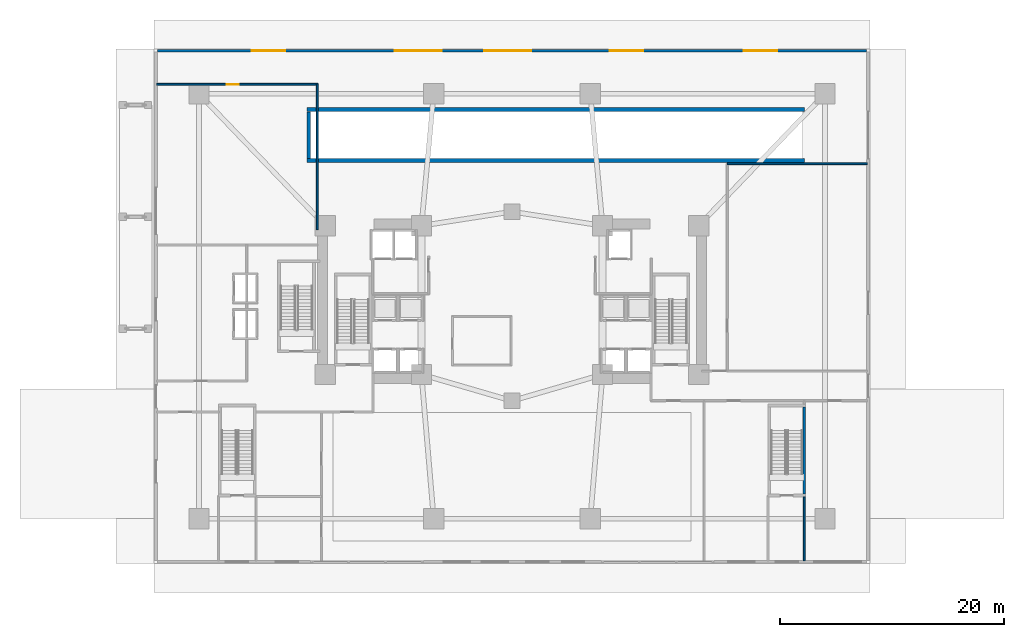
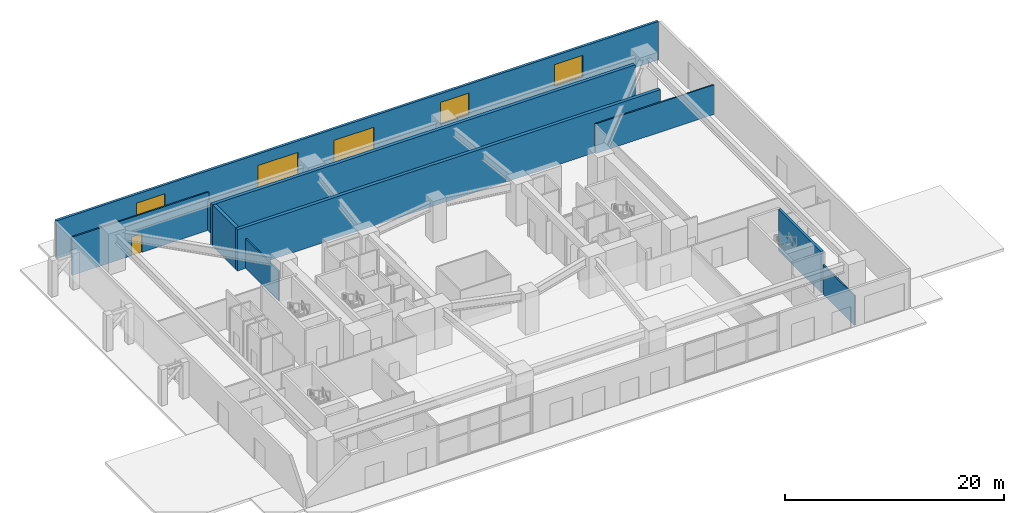
# One storey, part 12 of 18: 9 walls, 3 doors, 3 windows, 6 openings.
"""IFC4 building model written with IfcOpenShell, lengths in metres."""

import ifcopenshell
import ifcopenshell.guid

model = None  # the IFC model being written
_history = None  # IfcOwnerHistory: only IFC2X3 demands one
_inside = {}  # id of a spatial element -> (the spatial element, [elements in it])
_under = {}  # id of a project, library or spatial element -> (it, [spatial elements below it])
_declared = {}  # id of a project -> (the project, [libraries it declares])
_typed = {}  # id of a type object -> (the type object, [elements of that type])
_made_of = {}  # id of a material, layer set ... -> (it, [elements and type objects made of it])


def new_model(schema):
    """Start an empty IFC model of exactly this schema.

    Asked for "IFC4X3", IfcOpenShell would pick the latest addendum, in which some entities
    have other attributes; the version numbers below select the first issue.
    IFC2X3 requires an IfcOwnerHistory on every rooted entity: one is made here for all.
    """
    global model, _history
    if schema == "IFC4X3":
        model = ifcopenshell.file(schema_version=(4, 3, 0, 0))
    else:
        model = ifcopenshell.file(schema=schema)
    _inside.clear()
    _under.clear()
    _declared.clear()
    _typed.clear()
    _made_of.clear()
    _history = None
    if model.schema == "IFC2X3":
        org = make("IfcOrganization", Name="unknown")
        user = make(
            "IfcPersonAndOrganization",
            ThePerson=make("IfcPerson", FamilyName="unknown"),
            TheOrganization=org,
        )
        app = make(
            "IfcApplication",
            ApplicationDeveloper=org,
            Version="unknown",
            ApplicationFullName="unknown",
            ApplicationIdentifier="unknown",
        )
        _history = make(
            "IfcOwnerHistory",
            OwningUser=user,
            OwningApplication=app,
            ChangeAction="ADDED",
            CreationDate=0,
        )
    return model


def make(cls, **values):
    """One entity of the class cls with the attributes given. An attribute that is None is left unset."""
    return model.create_entity(
        cls, **{name: value for name, value in values.items() if value is not None}
    )


def rooted(cls, **values):
    """An entity with a GlobalId (a new one), such as an element, a storey or a relation."""
    return make(cls, GlobalId=ifcopenshell.guid.new(), OwnerHistory=_history, **values)


def si_unit(unit_type, name, prefix=None):
    """IfcSIUnit, for example si_unit("LENGTHUNIT", "METRE", prefix="MILLI")."""
    return make("IfcSIUnit", UnitType=unit_type, Prefix=prefix, Name=name)


def assignment(units):
    """IfcUnitAssignment: the units of a project."""
    return None if units is None else make("IfcUnitAssignment", Units=units)


def point(xyz):
    """IfcCartesianPoint."""
    return None if xyz is None else make("IfcCartesianPoint", Coordinates=xyz)


def direction(xyz):
    """IfcDirection."""
    return None if xyz is None else make("IfcDirection", DirectionRatios=xyz)


def frame(location, z_axis=None, x_axis=None):
    """IfcAxis2Placement3D, a coordinate frame: its origin and axes. An axis left out is left unset."""
    return make(
        "IfcAxis2Placement3D",
        Location=point(location),
        Axis=direction(z_axis),
        RefDirection=direction(x_axis),
    )


def frame_2d(location, x_axis=None):
    """IfcAxis2Placement2D, a coordinate frame in the plane: its origin and x axis."""
    return make(
        "IfcAxis2Placement2D", Location=point(location), RefDirection=direction(x_axis)
    )


def origin():
    """The frame at (0, 0, 0) with its axes left unset."""
    return frame((0.0, 0.0, 0.0))


def place(relative_to, where):
    """IfcLocalPlacement: puts the frame where relative to a parent placement (None: the world)."""
    return make(
        "IfcLocalPlacement", PlacementRelTo=relative_to, RelativePlacement=where
    )


def context(
    kind, dimensions, precision=None, world=None, true_north=None, identifier=None
):
    """IfcGeometricRepresentationContext, for example the 3D "Model" context."""
    return make(
        "IfcGeometricRepresentationContext",
        ContextIdentifier=identifier,
        ContextType=kind,
        CoordinateSpaceDimension=dimensions,
        Precision=precision,
        WorldCoordinateSystem=world,
        TrueNorth=true_north,
    )


def subcontext(parent, identifier, kind, view, scale=None):
    """IfcGeometricRepresentationSubContext, for example "Body" below "Model"."""
    return make(
        "IfcGeometricRepresentationSubContext",
        ContextIdentifier=identifier,
        ContextType=kind,
        ParentContext=parent,
        TargetScale=scale,
        TargetView=view,
    )


def project(units=None, contexts=None):
    """IfcProject with its units and contexts."""
    return rooted(
        "IfcProject",
        Name="project",
        RepresentationContexts=contexts,
        UnitsInContext=assignment(units),
    )


def spatial(cls, under=None, at=None, **own):
    """A site, building, storey or space (cls), placed at a placement, below another one or the project."""
    s = rooted(cls, ObjectPlacement=at, **own)
    if under is not None:
        _under.setdefault(under.id(), (under, []))[1].append(s)
    return s


def profile(cls, at=None, kind="AREA", **sizes):
    """A parametric profile (cls). Its sizes go by their IFC names, for example OverallWidth=200.0."""
    return make(cls, ProfileType=kind, Position=at, **sizes)


def rectangle(**sizes):
    """IfcRectangleProfileDef."""
    return profile("IfcRectangleProfileDef", **sizes)


def extrude(swept, where, along, depth):
    """IfcExtrudedAreaSolid: the profile swept, set in the frame where, extruded along a direction by depth."""
    return make(
        "IfcExtrudedAreaSolid",
        SweptArea=swept,
        Position=where,
        ExtrudedDirection=direction(along),
        Depth=depth,
    )


def shape(context_of_items, identifier, shape_type, items):
    """IfcShapeRepresentation: the items that make up one representation, for example the "Body"."""
    return make(
        "IfcShapeRepresentation",
        ContextOfItems=context_of_items,
        RepresentationIdentifier=identifier,
        RepresentationType=shape_type,
        Items=items,
    )


def material(Name=None, Category=None):
    """IfcMaterial."""
    return make("IfcMaterial", Name=Name, Category=Category)


def layer(
    of_material, thickness, ventilated=None, Name=None, Category=None, Priority=None
):
    """IfcMaterialLayer: one layer of a wall or slab, of a material (None: an air gap)."""
    return make(
        "IfcMaterialLayer",
        Material=of_material,
        LayerThickness=thickness,
        IsVentilated=ventilated,
        Name=Name,
        Category=Category,
        Priority=Priority,
    )


def layer_set(layers, Name=None):
    """IfcMaterialLayerSet."""
    return make("IfcMaterialLayerSet", MaterialLayers=layers, LayerSetName=Name)


def made_of(thing, what):
    """Note that an element or type object is made of a material, layer set ...; save() writes the relation."""
    if what is not None:
        _made_of.setdefault(what.id(), (what, []))[1].append(thing)
    return thing


def type_object(cls, material=None, **own):
    """A type object (cls), such as IfcWallType, which elements share."""
    return made_of(rooted(cls, **own), material)


def element(
    cls,
    number,
    at=None,
    inside=None,
    cuts=None,
    type_object=None,
    material=None,
    context=None,
    identifier="Body",
    shape_type=None,
    held_by="IfcProductDefinitionShape",
    body=None,
    shapes=None,
    **own,
):
    """One element of the class cls, such as IfcWall. Its Tag is "e" and its number.

    at: its placement. inside: the storey or other place that contains it. cuts: it is an
    opening in that element (IfcRelVoidsElement). A single representation is given by context,
    identifier, shape_type and body (its items); several are given by shapes. held_by: the class
    of the entity that holds the representations. save() writes the other relations.
    """
    e = rooted(cls, Tag="e%d" % number, ObjectPlacement=at, **own)
    if body is not None:
        shapes = [shape(context, identifier, shape_type, body)]
    if shapes is not None:
        e.Representation = make(held_by, Representations=shapes)
    if inside is not None:
        _inside.setdefault(inside.id(), (inside, []))[1].append(e)
    if cuts is not None:
        rooted(
            "IfcRelVoidsElement", RelatingBuildingElement=cuts, RelatedOpeningElement=e
        )
    if type_object is not None:
        _typed.setdefault(type_object.id(), (type_object, []))[1].append(e)
    return made_of(e, material)


def fill(opening, filler):
    """IfcRelFillsElement: the door or window that sits in an opening."""
    return rooted(
        "IfcRelFillsElement",
        RelatingOpeningElement=opening,
        RelatedBuildingElement=filler,
    )


def aggregate(whole, parts):
    """IfcRelAggregates: a whole, such as a stair, and the parts it consists of."""
    return rooted("IfcRelAggregates", RelatingObject=whole, RelatedObjects=parts)


def save(model, path):
    """Write the relations noted so far, then the file.

    IfcRelAggregates (storeys below a building ...), IfcRelContainedInSpatialStructure (elements
    in a storey), IfcRelDefinesByType, IfcRelAssociatesMaterial and IfcRelDeclares: one each for
    every whole, place, type object, material and project.
    """
    for whole, parts in _under.values():
        aggregate(whole, parts)
    for where, things in _inside.values():
        rooted(
            "IfcRelContainedInSpatialStructure",
            RelatedElements=things,
            RelatingStructure=where,
        )
    for kind, things in _typed.values():
        rooted("IfcRelDefinesByType", RelatedObjects=things, RelatingType=kind)
    for what, things in _made_of.values():
        rooted("IfcRelAssociatesMaterial", RelatedObjects=things, RelatingMaterial=what)
    for by, libraries in _declared.values():
        rooted("IfcRelDeclares", RelatingContext=by, RelatedDefinitions=libraries)
    model.write(path)


model = new_model("IFC4")

# Units and contexts
model_context = context("Model", 3, precision=1e-05, world=origin(), true_north=direction((0.0, 1.0)))
body_context = subcontext(model_context, "Body", "Model", "MODEL_VIEW")
ifc_project = project(units=[si_unit("LENGTHUNIT", "METRE"), si_unit("AREAUNIT", "SQUARE_METRE"), si_unit("VOLUMEUNIT", "CUBIC_METRE"), si_unit("PLANEANGLEUNIT", "RADIAN"), si_unit("MASSUNIT", "GRAM", prefix="KILO")], contexts=[model_context])

# Site, building, storey
site_placement = place(None, origin())
site = spatial("IfcSite", under=ifc_project, at=site_placement, CompositionType="ELEMENT")
building_placement = place(site_placement, origin())
building = spatial("IfcBuilding", under=site, at=building_placement, Name="Solvane Sanctuary Tower", CompositionType="ELEMENT")
storey_placement = place(building_placement, origin())
storey = spatial("IfcBuildingStorey", under=building, at=storey_placement, Name="L01", CompositionType="ELEMENT", Elevation=0.0)

# Wall
ifc_material_1 = material(Name="Acoustic Gypsum Partition Board")
ifc_layer_1 = layer(ifc_material_1, 0.14990234375, Name="Acoustic Gypsum Partition Board")
ifc_layer_set_1 = layer_set([ifc_layer_1], Name="Acoustic Gypsum Partition Board")
wall_type_1 = type_object("IfcWallType", Name="Wall W-CORR-150", PredefinedType="PARTITIONING", material=ifc_layer_set_1)
wall_1_placement = place(storey_placement, frame((14.580078125, 29.860107421875, 0.0), z_axis=(0.0, 0.0, 1.0), x_axis=(0.0, 1.0, 0.0)))
element("IfcWall", 1, at=wall_1_placement, inside=storey, type_object=wall_type_1, Name="L01 Exhibition East Wall", PredefinedType="PARTITIONING", context=body_context, shape_type="SweptSolid", body=[
    extrude(rectangle(XDim=13.019775390625, YDim=0.14990234375, at=frame_2d((6.509765625, 0.0))), origin(), (0.0, 0.0, 1.0), 3.300048828125),
])

# Wall, opening, door
wall_2_placement = place(storey_placement, frame((0.219970703125, 42.85009765625, 0.0), z_axis=(0.0, 0.0, 1.0), x_axis=(1.0, 0.0, 0.0)))
wall_2 = element("IfcWall", 2, at=wall_2_placement, inside=storey, type_object=wall_type_1, Name="L01 Exhibition North Wall", PredefinedType="PARTITIONING", context=body_context, shape_type="SweptSolid", body=[
    extrude(rectangle(XDim=14.400146484375, YDim=0.14990234375, at=frame_2d((7.2001953125, 0.0))), origin(), (0.0, 0.0, 1.0), 4.2548828125),
])
opening_1_placement = place(wall_2_placement, frame((6.262451171875, 0.0, 0.0)))
opening_1 = element("IfcOpeningElement", 3, at=opening_1_placement, cuts=wall_2, Name="Opening D-L01-31", PredefinedType="OPENING", context=body_context, shape_type="SweptSolid", body=[
    extrude(rectangle(XDim=1.10009765625, YDim=2.10009765625, at=frame_2d((0.550048828125, 1.050048828125))), frame((0.0, 0.0849609375, 0.0), z_axis=(0.0, -1.0, 0.0), x_axis=(1.0, 0.0, 0.0)), (0.0, 0.0, 1.0), 0.169921875),
])
ifc_material_2 = material(Name="Architectural Stainless Steel 316", Category="steel")
door_type_1 = type_object("IfcDoorType", Name="Door D-FFL", OperationType="NOTDEFINED", PredefinedType="DOOR", material=ifc_material_2)
door_1_placement = place(opening_1_placement, origin())
door_1 = element("IfcDoor", 4, at=door_1_placement, inside=storey, type_object=door_type_1, Name="L01 Exhibition Gallery Door", OperationType="SINGLE_SWING_RIGHT", OverallHeight=2.10009765625, OverallWidth=1.10009765625, PredefinedType="DOOR", context=body_context, shape_type="SweptSolid", body=[
    extrude(rectangle(XDim=1.10009765625, YDim=2.10009765625, at=frame_2d((0.550048828125, 1.050048828125))), frame((0.0, 0.02490234375, 0.0), z_axis=(0.0, -1.0, 0.0), x_axis=(1.0, 0.0, 0.0)), (0.0, 0.0, 1.0), 0.050048828125),
])
fill(opening_1, door_1)

# Walls
wall_3_placement = place(storey_placement, frame((58.1298828125, 0.219970703125, 0.0), z_axis=(0.0, 0.0, 1.0), x_axis=(0.0, 1.0, 0.0)))
element("IfcWall", 5, at=wall_3_placement, inside=storey, type_object=wall_type_1, Name="L01 ST-5 Vestibule East Wall", PredefinedType="PARTITIONING", context=body_context, shape_type="SweptSolid", body=[
    extrude(rectangle(XDim=5.739990234375, YDim=0.14990234375, at=frame_2d((2.8701171875, 0.0))), origin(), (0.0, 0.0, 1.0), 3.300048828125),
])
wall_4_placement = place(storey_placement, frame((51.25, 35.75, 0.0), z_axis=(0.0, 0.0, 1.0), x_axis=(1.0, 0.0, 0.0)))
element("IfcWall", 6, at=wall_4_placement, inside=storey, type_object=wall_type_1, Name="L01 Cloister Cafe North Wall", PredefinedType="PARTITIONING", context=body_context, shape_type="SweptSolid", body=[
    extrude(rectangle(XDim=12.530029296875, YDim=0.14990234375, at=frame_2d((6.26513671875, 0.0))), origin(), (0.0, 0.0, 1.0), 3.300048828125),
])

# Wall, openings, doors, windows
ifc_material_3 = material(Name="Precast concrete C40/50", Category="concrete")
ifc_layer_2 = layer(ifc_material_3, 0.260009765625, Name="Precast concrete C40/50")
ifc_layer_set_2 = layer_set([ifc_layer_2], Name="Precast concrete C40/50")
wall_type_2 = type_object("IfcWallType", Name="Wall W-EXT-250", PredefinedType="STANDARD", material=ifc_layer_set_2)
wall_5_placement = place(storey_placement, frame((63.719970703125, 45.85009765625, 0.0), z_axis=(0.0, 0.0, 1.0), x_axis=(-1.0, 0.0, 0.0)))
wall_5 = element("IfcWall", 7, at=wall_5_placement, inside=storey, type_object=wall_type_2, Name="L01 North Podium Facade Wall", PredefinedType="STANDARD", context=body_context, shape_type="SweptSolid", body=[
    extrude(rectangle(XDim=63.43994140625, YDim=0.260009765625, at=frame_2d((31.719970703125, 0.0))), origin(), (0.0, 0.0, 1.0), 4.280029296875),
])
opening_2_placement = place(wall_5_placement, frame((8.0, 0.0, 0.89990234375)))
opening_2 = element("IfcOpeningElement", 8, at=opening_2_placement, cuts=wall_5, Name="Opening WN-POD-3000", PredefinedType="OPENING", context=body_context, shape_type="SweptSolid", body=[
    extrude(rectangle(XDim=3.0, YDim=2.39990234375, at=frame_2d((1.5, 1.199951171875))), frame((0.0, 0.139892578125, 0.0), z_axis=(0.0, -1.0, 0.0), x_axis=(1.0, 0.0, 0.0)), (0.0, 0.0, 1.0), 0.280029296875),
])
opening_3_placement = place(wall_5_placement, frame((20.0, 0.0, 0.89990234375)))
opening_3 = element("IfcOpeningElement", 9, at=opening_3_placement, cuts=wall_5, Name="Opening WN-POD-3000", PredefinedType="OPENING", context=body_context, shape_type="SweptSolid", body=[
    extrude(rectangle(XDim=3.0, YDim=2.39990234375, at=frame_2d((1.5, 1.199951171875))), frame((0.0, 0.139892578125, 0.0), z_axis=(0.0, -1.0, 0.0), x_axis=(1.0, 0.0, 0.0)), (0.0, 0.0, 1.0), 0.280029296875),
])
opening_4_placement = place(wall_5_placement, frame((52.0, 0.0, 0.89990234375)))
opening_4 = element("IfcOpeningElement", 10, at=opening_4_placement, cuts=wall_5, Name="Opening WN-POD-3000", PredefinedType="OPENING", context=body_context, shape_type="SweptSolid", body=[
    extrude(rectangle(XDim=3.0, YDim=2.39990234375, at=frame_2d((1.5, 1.199951171875))), frame((0.0, 0.139892578125, 0.0), z_axis=(0.0, -1.0, 0.0), x_axis=(1.0, 0.0, 0.0)), (0.0, 0.0, 1.0), 0.280029296875),
])
opening_5_placement = place(wall_5_placement, frame((30.0, 0.0, 0.0)))
opening_5 = element("IfcOpeningElement", 11, at=opening_5_placement, cuts=wall_5, Name="Opening D-L01-13", PredefinedType="OPENING", context=body_context, shape_type="SweptSolid", body=[
    extrude(rectangle(XDim=4.199951171875, YDim=3.0, at=frame_2d((2.10009765625, 1.5))), frame((0.0, 0.139892578125, 0.0), z_axis=(0.0, -1.0, 0.0), x_axis=(1.0, 0.0, 0.0)), (0.0, 0.0, 1.0), 0.280029296875),
])
opening_6_placement = place(wall_5_placement, frame((38.0, 0.0, 0.0)))
opening_6 = element("IfcOpeningElement", 12, at=opening_6_placement, cuts=wall_5, Name="Opening D-L01-14", PredefinedType="OPENING", context=body_context, shape_type="SweptSolid", body=[
    extrude(rectangle(XDim=4.199951171875, YDim=3.0, at=frame_2d((2.10009765625, 1.5))), frame((0.0, 0.139892578125, 0.0), z_axis=(0.0, -1.0, 0.0), x_axis=(1.0, 0.0, 0.0)), (0.0, 0.0, 1.0), 0.280029296875),
])
door_type_2 = type_object("IfcDoorType", Name="Door D-GATE-4200", OperationType="NOTDEFINED", PredefinedType="GATE", material=ifc_material_2)
door_2_placement = place(opening_5_placement, origin())
door_2 = element("IfcDoor", 13, at=door_2_placement, inside=storey, type_object=door_type_2, Name="L01 North Service Arcade Portal Gate 1", OperationType="SLIDING_TO_LEFT", OverallHeight=3.0, OverallWidth=4.199951171875, PredefinedType="GATE", context=body_context, shape_type="SweptSolid", body=[
    extrude(rectangle(XDim=4.199951171875, YDim=3.0, at=frame_2d((2.10009765625, 1.5))), frame((0.0, 0.02490234375, 0.0), z_axis=(0.0, -1.0, 0.0), x_axis=(1.0, 0.0, 0.0)), (0.0, 0.0, 1.0), 0.050048828125),
])
fill(opening_5, door_2)
door_3_placement = place(opening_6_placement, origin())
door_3 = element("IfcDoor", 14, at=door_3_placement, inside=storey, type_object=door_type_2, Name="L01 North Service Arcade Portal Gate 2", OperationType="SLIDING_TO_LEFT", OverallHeight=3.0, OverallWidth=4.199951171875, PredefinedType="GATE", context=body_context, shape_type="SweptSolid", body=[
    extrude(rectangle(XDim=4.199951171875, YDim=3.0, at=frame_2d((2.10009765625, 1.5))), frame((0.0, 0.02490234375, 0.0), z_axis=(0.0, -1.0, 0.0), x_axis=(1.0, 0.0, 0.0)), (0.0, 0.0, 1.0), 0.050048828125),
])
fill(opening_6, door_3)
ifc_material_4 = material(Name="Dark Ceramic-Fritted Low-E Glass", Category="glass")
window_type = type_object("IfcWindowType", Name="Window WN-POD-3000", PartitioningType="SINGLE_PANEL", PredefinedType="WINDOW", material=ifc_material_4)
window_1_placement = place(opening_2_placement, origin())
window_1 = element("IfcWindow", 15, at=window_1_placement, inside=storey, type_object=window_type, Name="L01 North Podium Window 1", OverallHeight=2.39990234375, OverallWidth=3.0, PartitioningType="SINGLE_PANEL", PredefinedType="WINDOW", context=body_context, shape_type="SweptSolid", body=[
    extrude(rectangle(XDim=3.0, YDim=2.39990234375, at=frame_2d((1.5, 1.199951171875))), frame((0.0, 0.030029296875, 0.0), z_axis=(0.0, -1.0, 0.0), x_axis=(1.0, 0.0, 0.0)), (0.0, 0.0, 1.0), 0.06005859375),
])
fill(opening_2, window_1)
window_2_placement = place(opening_3_placement, origin())
window_2 = element("IfcWindow", 16, at=window_2_placement, inside=storey, type_object=window_type, Name="L01 North Podium Window 2", OverallHeight=2.39990234375, OverallWidth=3.0, PartitioningType="SINGLE_PANEL", PredefinedType="WINDOW", context=body_context, shape_type="SweptSolid", body=[
    extrude(rectangle(XDim=3.0, YDim=2.39990234375, at=frame_2d((1.5, 1.199951171875))), frame((0.0, 0.030029296875, 0.0), z_axis=(0.0, -1.0, 0.0), x_axis=(1.0, 0.0, 0.0)), (0.0, 0.0, 1.0), 0.06005859375),
])
fill(opening_3, window_2)
window_3_placement = place(opening_4_placement, origin())
window_3 = element("IfcWindow", 17, at=window_3_placement, inside=storey, type_object=window_type, Name="L01 North Podium Window 3", OverallHeight=2.39990234375, OverallWidth=3.0, PartitioningType="SINGLE_PANEL", PredefinedType="WINDOW", context=body_context, shape_type="SweptSolid", body=[
    extrude(rectangle(XDim=3.0, YDim=2.39990234375, at=frame_2d((1.5, 1.199951171875))), frame((0.0, 0.030029296875, 0.0), z_axis=(0.0, -1.0, 0.0), x_axis=(1.0, 0.0, 0.0)), (0.0, 0.0, 1.0), 0.06005859375),
])
fill(opening_4, window_3)

# Walls
ifc_material_5 = material(Name="Concrete C50/60", Category="concrete")
ifc_layer_3 = layer(ifc_material_5, 0.35009765625, Name="Concrete C50/60")
ifc_layer_set_3 = layer_set([ifc_layer_3], Name="Concrete C50/60")
wall_type_3 = type_object("IfcWallType", Name="Wall W-RAMP-350", PredefinedType="SOLIDWALL", material=ifc_layer_set_3)
for number, where, z_axis, x_axis, name in (
    (18, (13.64990234375, 36.02001953125, 0.0), (0.0, 0.0, 1.0), (1.0, 0.0, 0.0), "L01 Service Ramp Enclosure Wall S"),
    (19, (13.64990234375, 40.580078125, 0.0), (0.0, 0.0, 1.0), (1.0, 0.0, 0.0), "L01 Service Ramp Enclosure Wall N"),
):
    element("IfcWall", number, at=place(storey_placement, frame(where, z_axis=z_axis, x_axis=x_axis)), inside=storey, type_object=wall_type_3, Name=name, PredefinedType="SOLIDWALL", context=body_context, shape_type="SweptSolid", body=[
        extrude(rectangle(XDim=44.530029296875, YDim=0.35009765625, at=frame_2d((22.26513671875, 0.0))), origin(), (0.0, 0.0, 1.0), 4.60009765625),
    ])
wall_6_placement = place(storey_placement, frame((13.820068359375, 36.219970703125, 0.0), z_axis=(0.0, 0.0, 1.0), x_axis=(0.0, 1.0, 0.0)))
element("IfcWall", 20, at=wall_6_placement, inside=storey, type_object=wall_type_3, Name="L01 Service Ramp West Headwall", PredefinedType="SOLIDWALL", context=body_context, shape_type="SweptSolid", body=[
    extrude(rectangle(XDim=4.159912109375, YDim=0.35009765625, at=frame_2d((2.080078125, 0.0))), origin(), (0.0, 0.0, 1.0), 4.60009765625),
])
ifc_layer_4 = layer(ifc_material_5, 0.25, Name="Concrete C50/60")
ifc_layer_set_4 = layer_set([ifc_layer_4], Name="Concrete C50/60")
wall_type_4 = type_object("IfcWallType", Name="Wall W-SHAFT-250", PredefinedType="SOLIDWALL", material=ifc_layer_set_4)
wall_7_placement = place(storey_placement, frame((58.1298828125, 6.195068359375, 0.0), z_axis=(0.0, 0.0, 1.0), x_axis=(0.0, 1.0, 0.0)))
element("IfcWall", 21, at=wall_7_placement, inside=storey, type_object=wall_type_4, Name="L01 ST-5 Load-Bearing Shaft Wall E", PredefinedType="SOLIDWALL", context=body_context, shape_type="SweptSolid", body=[
    extrude(rectangle(XDim=7.809814453125, YDim=0.25, at=frame_2d((3.90478515625, 0.0))), origin(), (0.0, 0.0, 1.0), 4.60009765625),
])

save(model, "model.ifc")
